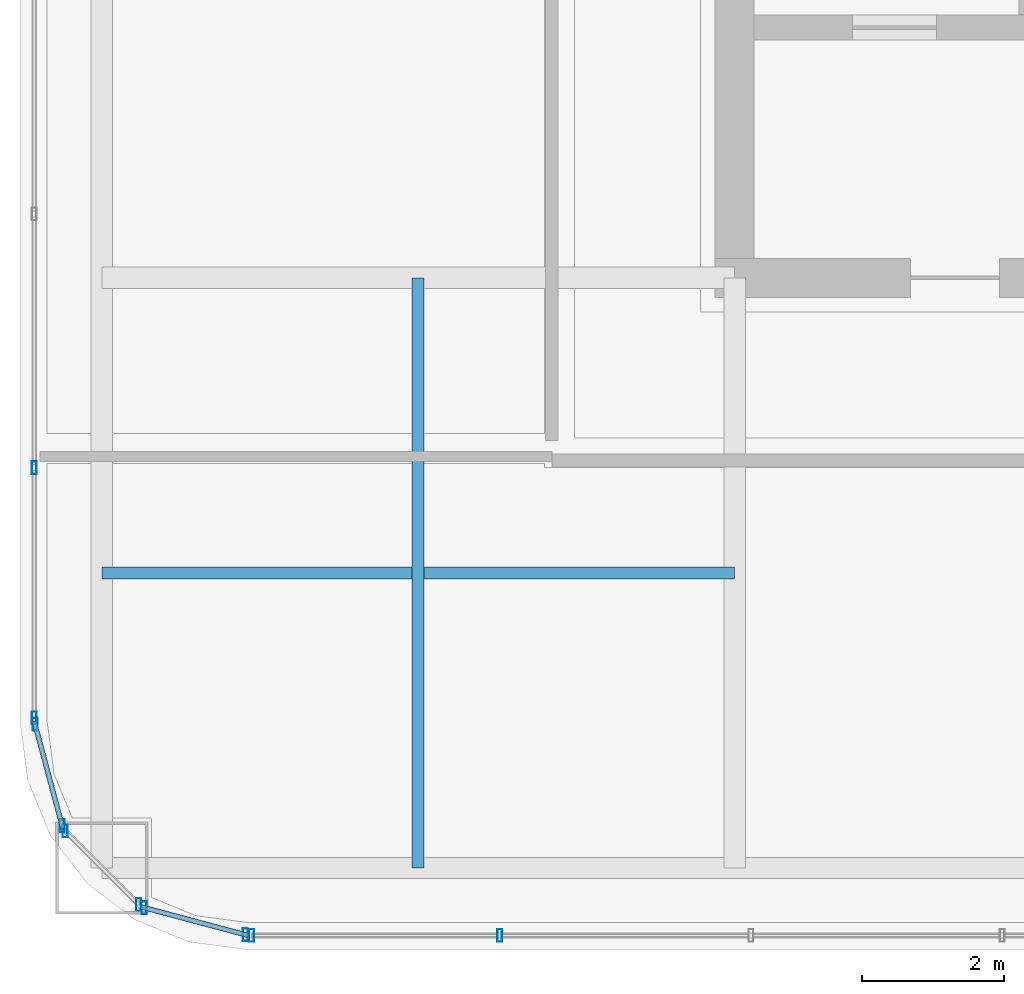
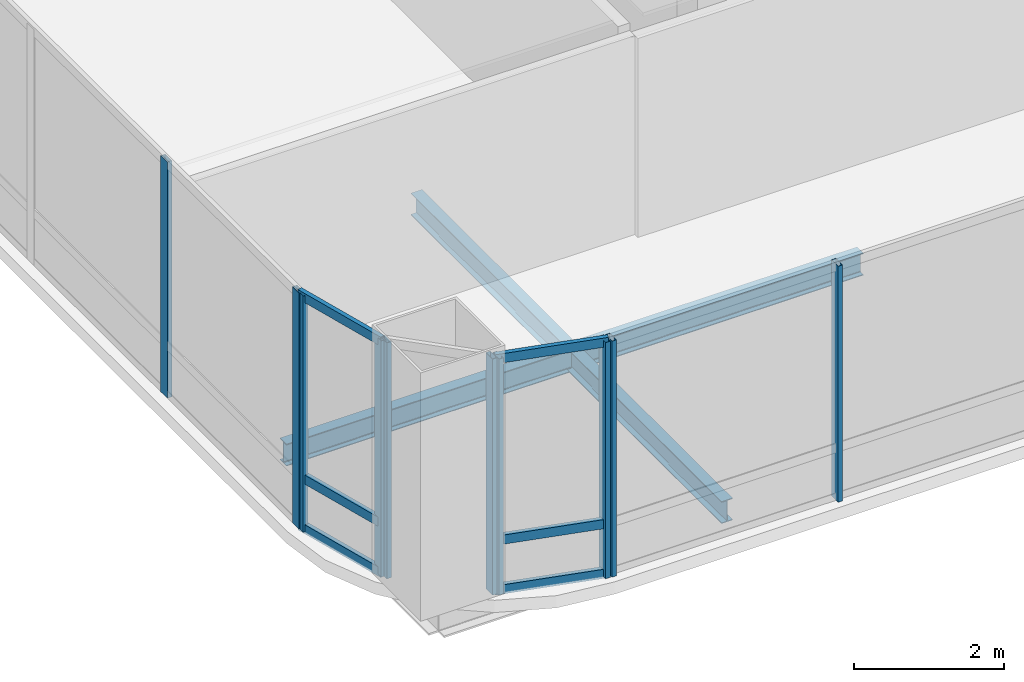
# One storey, part 2 of 39: 16 members, 2 beams, 5 elements without a shape of their own.
"""IFC4 building model written with IfcOpenShell, lengths in metres."""

from ifc_helpers import new_model, si_unit, direction, frame, origin, origin_2d, place, context, subcontext, project, spatial, hollow_rectangle, i_section, extrude, material, material_profile, profile_set, type_object, element, aggregate, save


model = new_model("IFC4")

# Units and contexts
model_context = context("Model", 3, precision=1e-05, world=origin(), true_north=direction((0.0, 1.0)))
body_context = subcontext(model_context, "Body", "Model", "MODEL_VIEW")
ifc_project = project(units=[si_unit("LENGTHUNIT", "METRE"), si_unit("AREAUNIT", "SQUARE_METRE"), si_unit("VOLUMEUNIT", "CUBIC_METRE"), si_unit("PLANEANGLEUNIT", "RADIAN"), si_unit("MASSUNIT", "GRAM", prefix="KILO")], contexts=[model_context])

# Site, building, storey
site_placement = place(None, origin())
site = spatial("IfcSite", under=ifc_project, at=site_placement, CompositionType="ELEMENT")
building_placement = place(site_placement, origin())
building = spatial("IfcBuilding", under=site, at=building_placement, Name="Punatoya Terracotta Tower", CompositionType="ELEMENT")
storey_placement = place(building_placement, frame((0.0, 0.0, 275.699951171875)))
storey = spatial("IfcBuildingStorey", under=building, at=storey_placement, Name="L65", CompositionType="ELEMENT", Elevation=275.699951171875)

# Beams
ifc_material_1 = material(Name="Steel S355", Category="steel")
ifc_material_profile_1 = material_profile(ifc_material_1, i_section(OverallWidth=0.169921875, OverallDepth=0.360107421875, WebThickness=0.008056640625, FlangeThickness=0.0126953125, FilletRadius=0.01806640625, at=origin_2d()))
ifc_profile_set_1 = profile_set([ifc_material_profile_1], Name="Steel S355")
beam_type = type_object("IfcBeamType", Name="BM-SEC-360", PredefinedType="JOIST", material=ifc_profile_set_1)
beam_1_placement = place(storey_placement, frame((-19.10009765625, -13.35009765625, -0.3798828125), z_axis=(1.0, 0.0, 0.0), x_axis=(0.0, 1.0, 0.0)))
element("IfcBeam", 1, at=beam_1_placement, inside=storey, type_object=beam_type, Name="BM-L65-SJS-1", PredefinedType="JOIST", context=body_context, shape_type="SweptSolid", body=[
    extrude(i_section(OverallWidth=0.169921875, OverallDepth=0.360107421875, WebThickness=0.008056640625, FlangeThickness=0.0126953125, FilletRadius=0.01806640625, at=origin_2d()), origin(), (0.0, 0.0, 1.0), 8.900146484375),
])
beam_2_placement = place(storey_placement, frame((-14.64990234375, -17.5, -0.3798828125), z_axis=(0.0, 1.0, 0.0), x_axis=(-1.0, 0.0, 0.0)))
element("IfcBeam", 2, at=beam_2_placement, inside=storey, type_object=beam_type, Name="BM-L65-SJW-1", PredefinedType="JOIST", context=body_context, shape_type="SweptSolid", body=[
    extrude(i_section(OverallWidth=0.169921875, OverallDepth=0.360107421875, WebThickness=0.008056640625, FlangeThickness=0.0126953125, FilletRadius=0.01806640625, at=origin_2d()), origin(), (0.0, 0.0, 1.0), 8.300048828125),
])

# Curtain wall, members
ifc_material_2 = material(Name="Aluminium 6063-T6 + Double Low-E Glass", Category="aluminium")
curtain_wall_type = type_object("IfcCurtainWallType", Name="CW-M3", PredefinedType="NOTDEFINED", material=ifc_material_2)
curtain_wall_1_placement = place(storey_placement, origin())
curtain_wall_1 = element("IfcCurtainWall", 3, at=curtain_wall_1_placement, inside=storey, type_object=curtain_wall_type, Name="L65 Curtain Wall CW-L65-S01-1", PredefinedType="NOTDEFINED")
ifc_material_3 = material(Name="Aluminium 6063-T6", Category="aluminium")
ifc_material_profile_2 = material_profile(ifc_material_3, hollow_rectangle(XDim=0.070068359375, YDim=0.179931640625, WallThickness=0.00390625, at=origin_2d()))
ifc_profile_set_2 = profile_set([ifc_material_profile_2], Name="Aluminium 6063-T6")
member_type_1 = type_object("IfcMemberType", Name="CW-MUL-M3", PredefinedType="MULLION", material=ifc_profile_set_2)
member_1_placement = place(storey_placement, frame((-16.991943359375, -18.449951171875, 0.0), z_axis=(0.0, 0.0, 1.0), x_axis=(1.0, 0.0, 0.0)))
member_1 = element("IfcMember", 4, at=member_1_placement, type_object=member_type_1, Name="CW-L65-S01-1 Mullion 00", PredefinedType="MULLION", context=body_context, shape_type="SweptSolid", body=[
    extrude(hollow_rectangle(XDim=0.070068359375, YDim=0.179931640625, WallThickness=0.00390625, at=origin_2d()), origin(), (0.0, 0.0, 1.0), 3.85009765625),
])
member_2_placement = place(storey_placement, frame((-13.5029296875, -18.449951171875, 0.0), z_axis=(0.0, 0.0, 1.0), x_axis=(1.0, 0.0, 0.0)))
member_2 = element("IfcMember", 5, at=member_2_placement, type_object=member_type_1, Name="CW-L65-S01-1 Mullion 01", PredefinedType="MULLION", context=body_context, shape_type="SweptSolid", body=[
    extrude(hollow_rectangle(XDim=0.070068359375, YDim=0.179931640625, WallThickness=0.00390625, at=origin_2d()), origin(), (0.0, 0.0, 1.0), 3.85009765625),
])
aggregate(curtain_wall_1, [member_1, member_2])

curtain_wall_2_placement = place(storey_placement, origin())
curtain_wall_2 = element("IfcCurtainWall", 6, at=curtain_wall_2_placement, inside=storey, type_object=curtain_wall_type, Name="L65 Curtain Wall CW-L65-W13-1", PredefinedType="NOTDEFINED")
member_3_placement = place(storey_placement, frame((-20.050048828125, -11.869384765625, 0.0), z_axis=(0.0, 0.0, 1.0), x_axis=(1.0, 0.0, 0.0)))
member_3 = element("IfcMember", 7, at=member_3_placement, type_object=member_type_1, Name="CW-L65-W13-1 Mullion 09", PredefinedType="MULLION", context=body_context, shape_type="SweptSolid", body=[
    extrude(hollow_rectangle(XDim=0.070068359375, YDim=0.179931640625, WallThickness=0.00390625, at=origin_2d()), origin(), (0.0, 0.0, 1.0), 3.85009765625),
])
member_4_placement = place(storey_placement, frame((-20.050048828125, -15.391845703125, 0.0), z_axis=(0.0, 0.0, 1.0), x_axis=(1.0, 0.0, 0.0)))
member_4 = element("IfcMember", 8, at=member_4_placement, type_object=member_type_1, Name="CW-L65-W13-1 Mullion 10", PredefinedType="MULLION", context=body_context, shape_type="SweptSolid", body=[
    extrude(hollow_rectangle(XDim=0.070068359375, YDim=0.179931640625, WallThickness=0.00390625, at=origin_2d()), origin(), (0.0, 0.0, 1.0), 3.85009765625),
])
aggregate(curtain_wall_2, [member_3, member_4])

curtain_wall_3_placement = place(storey_placement, origin())
curtain_wall_3 = element("IfcCurtainWall", 9, at=curtain_wall_3_placement, inside=storey, type_object=curtain_wall_type, Name="L65 Curtain Wall CW-L65-CRN14", PredefinedType="NOTDEFINED")
member_5_placement = place(storey_placement, frame((-20.038330078125, -15.48046875, 0.0), z_axis=(0.0, 0.0, 1.0), x_axis=(1.0, 0.0, 0.0)))
member_5 = element("IfcMember", 10, at=member_5_placement, type_object=member_type_1, Name="CW-L65-CRN14 Mullion 00", PredefinedType="MULLION", context=body_context, shape_type="SweptSolid", body=[
    extrude(hollow_rectangle(XDim=0.070068359375, YDim=0.179931640625, WallThickness=0.00390625, at=origin_2d()), origin(), (0.0, 0.0, 1.0), 3.85009765625),
])
member_6_placement = place(storey_placement, frame((-19.658203125, -16.905517578125, 0.0), z_axis=(0.0, 0.0, 1.0), x_axis=(1.0, 0.0, 0.0)))
member_6 = element("IfcMember", 11, at=member_6_placement, type_object=member_type_1, Name="CW-L65-CRN14 Mullion 01", PredefinedType="MULLION", context=body_context, shape_type="SweptSolid", body=[
    extrude(hollow_rectangle(XDim=0.070068359375, YDim=0.179931640625, WallThickness=0.00390625, at=origin_2d()), origin(), (0.0, 0.0, 1.0), 3.85009765625),
])

curtain_wall_4_placement = place(storey_placement, origin())
curtain_wall_4 = element("IfcCurtainWall", 12, at=curtain_wall_4_placement, inside=storey, type_object=curtain_wall_type, Name="L65 Curtain Wall CW-L65-CRN15", PredefinedType="NOTDEFINED")
member_7_placement = place(storey_placement, frame((-19.61474609375, -16.98095703125, 0.0), z_axis=(0.0, 0.0, 1.0), x_axis=(1.0, 0.0, 0.0)))
member_7 = element("IfcMember", 13, at=member_7_placement, type_object=member_type_1, Name="CW-L65-CRN15 Mullion 00", PredefinedType="MULLION", context=body_context, shape_type="SweptSolid", body=[
    extrude(hollow_rectangle(XDim=0.070068359375, YDim=0.179931640625, WallThickness=0.00390625, at=origin_2d()), origin(), (0.0, 0.0, 1.0), 3.85009765625),
])
member_8_placement = place(storey_placement, frame((-18.580810546875, -18.014892578125, 0.0), z_axis=(0.0, 0.0, 1.0), x_axis=(1.0, 0.0, 0.0)))
member_8 = element("IfcMember", 14, at=member_8_placement, type_object=member_type_1, Name="CW-L65-CRN15 Mullion 01", PredefinedType="MULLION", context=body_context, shape_type="SweptSolid", body=[
    extrude(hollow_rectangle(XDim=0.070068359375, YDim=0.179931640625, WallThickness=0.00390625, at=origin_2d()), origin(), (0.0, 0.0, 1.0), 3.85009765625),
])
aggregate(curtain_wall_4, [member_7, member_8])

curtain_wall_5_placement = place(storey_placement, origin())
curtain_wall_5 = element("IfcCurtainWall", 15, at=curtain_wall_5_placement, inside=storey, type_object=curtain_wall_type, Name="L65 Curtain Wall CW-L65-CRN16", PredefinedType="NOTDEFINED")
member_9_placement = place(storey_placement, frame((-18.505615234375, -18.05810546875, 0.0), z_axis=(0.0, 0.0, 1.0), x_axis=(1.0, 0.0, 0.0)))
member_9 = element("IfcMember", 16, at=member_9_placement, type_object=member_type_1, Name="CW-L65-CRN16 Mullion 00", PredefinedType="MULLION", context=body_context, shape_type="SweptSolid", body=[
    extrude(hollow_rectangle(XDim=0.070068359375, YDim=0.179931640625, WallThickness=0.00390625, at=origin_2d()), origin(), (0.0, 0.0, 1.0), 3.85009765625),
])
member_10_placement = place(storey_placement, frame((-17.080322265625, -18.4384765625, 0.0), z_axis=(0.0, 0.0, 1.0), x_axis=(1.0, 0.0, 0.0)))
member_10 = element("IfcMember", 17, at=member_10_placement, type_object=member_type_1, Name="CW-L65-CRN16 Mullion 01", PredefinedType="MULLION", context=body_context, shape_type="SweptSolid", body=[
    extrude(hollow_rectangle(XDim=0.070068359375, YDim=0.179931640625, WallThickness=0.00390625, at=origin_2d()), origin(), (0.0, 0.0, 1.0), 3.85009765625),
])

# Member
ifc_material_profile_3 = material_profile(ifc_material_3, hollow_rectangle(XDim=0.068115234375, YDim=0.14990234375, WallThickness=0.00390625, at=origin_2d()))
ifc_profile_set_3 = profile_set([ifc_material_profile_3], Name="Aluminium 6063-T6")
member_type_2 = type_object("IfcMemberType", Name="CW-TRN-TYP", PredefinedType="USERDEFINED", material=ifc_profile_set_3)
member_11_placement = place(storey_placement, frame((-20.050048828125, -15.43701171875, 0.0400390625), z_axis=(0.257847112249, -0.966185730957, 0.0), x_axis=(0.966185730957, 0.257847112249, 0.0)))
member_11 = element("IfcMember", 18, at=member_11_placement, type_object=member_type_2, Name="CW-L65-CRN14 Transom 1", ObjectType="TRANSOM", PredefinedType="USERDEFINED", context=body_context, shape_type="SweptSolid", body=[
    extrude(hollow_rectangle(XDim=0.068115234375, YDim=0.14990234375, WallThickness=0.00390625, at=origin_2d()), origin(), (0.0, 0.0, 1.0), 1.565185546875),
])

member_12_placement = place(storey_placement, frame((-20.050048828125, -15.43701171875, 0.85009765625), z_axis=(0.257847112249, -0.966185730957, 0.0), x_axis=(0.966185730957, 0.257847112249, 0.0)))
member_12 = element("IfcMember", 19, at=member_12_placement, type_object=member_type_2, Name="CW-L65-CRN14 Transom 2", ObjectType="TRANSOM", PredefinedType="USERDEFINED", context=body_context, shape_type="SweptSolid", body=[
    extrude(hollow_rectangle(XDim=0.068115234375, YDim=0.14990234375, WallThickness=0.00390625, at=origin_2d()), origin(), (0.0, 0.0, 1.0), 1.565185546875),
])

member_13_placement = place(storey_placement, frame((-20.050048828125, -15.43701171875, 3.81005859375), z_axis=(0.257847112249, -0.966185730957, 0.0), x_axis=(0.966185730957, 0.257847112249, 0.0)))
member_13 = element("IfcMember", 20, at=member_13_placement, type_object=member_type_2, Name="CW-L65-CRN14 Transom 3", ObjectType="TRANSOM", PredefinedType="USERDEFINED", context=body_context, shape_type="SweptSolid", body=[
    extrude(hollow_rectangle(XDim=0.068115234375, YDim=0.14990234375, WallThickness=0.00390625, at=origin_2d()), origin(), (0.0, 0.0, 1.0), 1.565185546875),
])

aggregate(curtain_wall_3, [member_5, member_6, member_11, member_12, member_13])

member_14_placement = place(storey_placement, frame((-18.549072265625, -18.046630859375, 0.0400390625), z_axis=(0.966224582397, -0.257701486942, 0.0), x_axis=(0.257701486942, 0.966224582397, 0.0)))
member_14 = element("IfcMember", 21, at=member_14_placement, type_object=member_type_2, Name="CW-L65-CRN16 Transom 1", ObjectType="TRANSOM", PredefinedType="USERDEFINED", context=body_context, shape_type="SweptSolid", body=[
    extrude(hollow_rectangle(XDim=0.068115234375, YDim=0.14990234375, WallThickness=0.00390625, at=origin_2d()), origin(), (0.0, 0.0, 1.0), 1.565185546875),
])

member_15_placement = place(storey_placement, frame((-18.549072265625, -18.046630859375, 0.85009765625), z_axis=(0.966224582397, -0.257701486942, 0.0), x_axis=(0.257701486942, 0.966224582397, 0.0)))
member_15 = element("IfcMember", 22, at=member_15_placement, type_object=member_type_2, Name="CW-L65-CRN16 Transom 2", ObjectType="TRANSOM", PredefinedType="USERDEFINED", context=body_context, shape_type="SweptSolid", body=[
    extrude(hollow_rectangle(XDim=0.068115234375, YDim=0.14990234375, WallThickness=0.00390625, at=origin_2d()), origin(), (0.0, 0.0, 1.0), 1.565185546875),
])

member_16_placement = place(storey_placement, frame((-18.549072265625, -18.046630859375, 3.81005859375), z_axis=(0.966224582397, -0.257701486942, 0.0), x_axis=(0.257701486942, 0.966224582397, 0.0)))
member_16 = element("IfcMember", 23, at=member_16_placement, type_object=member_type_2, Name="CW-L65-CRN16 Transom 3", ObjectType="TRANSOM", PredefinedType="USERDEFINED", context=body_context, shape_type="SweptSolid", body=[
    extrude(hollow_rectangle(XDim=0.068115234375, YDim=0.14990234375, WallThickness=0.00390625, at=origin_2d()), origin(), (0.0, 0.0, 1.0), 1.565185546875),
])

aggregate(curtain_wall_5, [member_9, member_10, member_14, member_15, member_16])

save(model, "model.ifc")
